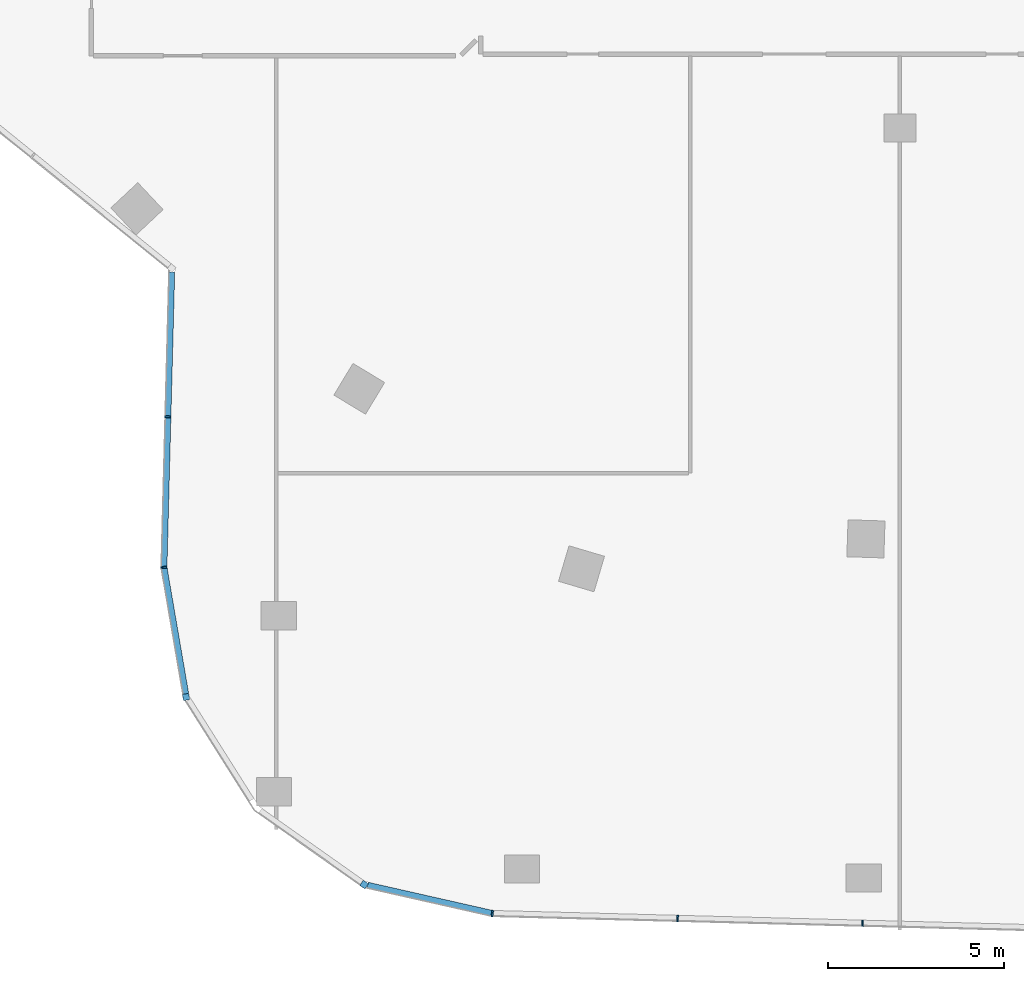
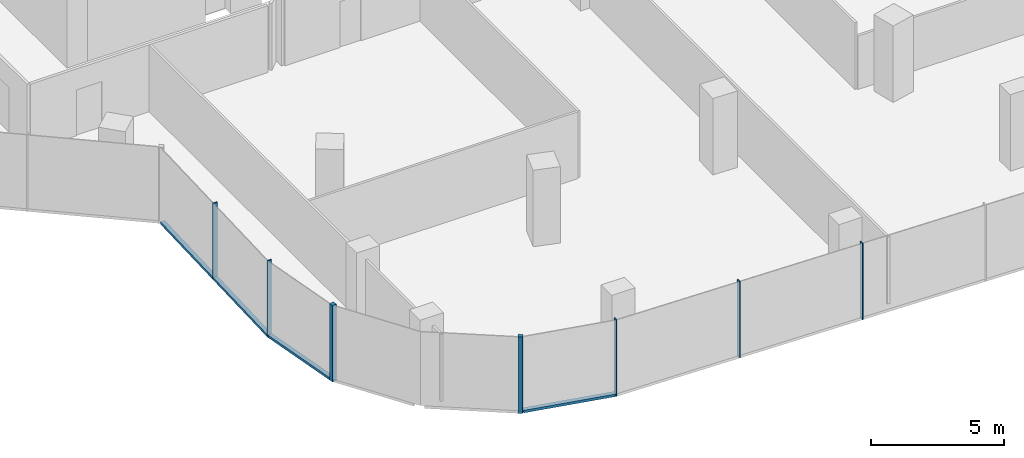
# One storey, part 2 of 23: 10 members, 5 elements without a shape of their own.
"""IFC4 building model written with IfcOpenShell, lengths in metres."""

import ifcopenshell
import ifcopenshell.guid

model = None  # the IFC model being written
_history = None  # IfcOwnerHistory: only IFC2X3 demands one
_inside = {}  # id of a spatial element -> (the spatial element, [elements in it])
_under = {}  # id of a project, library or spatial element -> (it, [spatial elements below it])
_declared = {}  # id of a project -> (the project, [libraries it declares])
_typed = {}  # id of a type object -> (the type object, [elements of that type])
_made_of = {}  # id of a material, layer set ... -> (it, [elements and type objects made of it])


def new_model(schema):
    """Start an empty IFC model of exactly this schema.

    Asked for "IFC4X3", IfcOpenShell would pick the latest addendum, in which some entities
    have other attributes; the version numbers below select the first issue.
    IFC2X3 requires an IfcOwnerHistory on every rooted entity: one is made here for all.
    """
    global model, _history
    if schema == "IFC4X3":
        model = ifcopenshell.file(schema_version=(4, 3, 0, 0))
    else:
        model = ifcopenshell.file(schema=schema)
    _inside.clear()
    _under.clear()
    _declared.clear()
    _typed.clear()
    _made_of.clear()
    _history = None
    if model.schema == "IFC2X3":
        org = make("IfcOrganization", Name="unknown")
        user = make(
            "IfcPersonAndOrganization",
            ThePerson=make("IfcPerson", FamilyName="unknown"),
            TheOrganization=org,
        )
        app = make(
            "IfcApplication",
            ApplicationDeveloper=org,
            Version="unknown",
            ApplicationFullName="unknown",
            ApplicationIdentifier="unknown",
        )
        _history = make(
            "IfcOwnerHistory",
            OwningUser=user,
            OwningApplication=app,
            ChangeAction="ADDED",
            CreationDate=0,
        )
    return model


def make(cls, **values):
    """One entity of the class cls with the attributes given. An attribute that is None is left unset."""
    return model.create_entity(
        cls, **{name: value for name, value in values.items() if value is not None}
    )


def rooted(cls, **values):
    """An entity with a GlobalId (a new one), such as an element, a storey or a relation."""
    return make(cls, GlobalId=ifcopenshell.guid.new(), OwnerHistory=_history, **values)


def si_unit(unit_type, name, prefix=None):
    """IfcSIUnit, for example si_unit("LENGTHUNIT", "METRE", prefix="MILLI")."""
    return make("IfcSIUnit", UnitType=unit_type, Prefix=prefix, Name=name)


def assignment(units):
    """IfcUnitAssignment: the units of a project."""
    return None if units is None else make("IfcUnitAssignment", Units=units)


def point(xyz):
    """IfcCartesianPoint."""
    return None if xyz is None else make("IfcCartesianPoint", Coordinates=xyz)


def direction(xyz):
    """IfcDirection."""
    return None if xyz is None else make("IfcDirection", DirectionRatios=xyz)


def frame(location, z_axis=None, x_axis=None):
    """IfcAxis2Placement3D, a coordinate frame: its origin and axes. An axis left out is left unset."""
    return make(
        "IfcAxis2Placement3D",
        Location=point(location),
        Axis=direction(z_axis),
        RefDirection=direction(x_axis),
    )


def frame_2d(location, x_axis=None):
    """IfcAxis2Placement2D, a coordinate frame in the plane: its origin and x axis."""
    return make(
        "IfcAxis2Placement2D", Location=point(location), RefDirection=direction(x_axis)
    )


def origin():
    """The frame at (0, 0, 0) with its axes left unset."""
    return frame((0.0, 0.0, 0.0))


def origin_2d():
    """The frame at (0, 0) in the plane with its x axis left unset."""
    return frame_2d((0.0, 0.0))


def place(relative_to, where):
    """IfcLocalPlacement: puts the frame where relative to a parent placement (None: the world)."""
    return make(
        "IfcLocalPlacement", PlacementRelTo=relative_to, RelativePlacement=where
    )


def context(
    kind, dimensions, precision=None, world=None, true_north=None, identifier=None
):
    """IfcGeometricRepresentationContext, for example the 3D "Model" context."""
    return make(
        "IfcGeometricRepresentationContext",
        ContextIdentifier=identifier,
        ContextType=kind,
        CoordinateSpaceDimension=dimensions,
        Precision=precision,
        WorldCoordinateSystem=world,
        TrueNorth=true_north,
    )


def subcontext(parent, identifier, kind, view, scale=None):
    """IfcGeometricRepresentationSubContext, for example "Body" below "Model"."""
    return make(
        "IfcGeometricRepresentationSubContext",
        ContextIdentifier=identifier,
        ContextType=kind,
        ParentContext=parent,
        TargetScale=scale,
        TargetView=view,
    )


def project(units=None, contexts=None):
    """IfcProject with its units and contexts."""
    return rooted(
        "IfcProject",
        Name="project",
        RepresentationContexts=contexts,
        UnitsInContext=assignment(units),
    )


def spatial(cls, under=None, at=None, **own):
    """A site, building, storey or space (cls), placed at a placement, below another one or the project."""
    s = rooted(cls, ObjectPlacement=at, **own)
    if under is not None:
        _under.setdefault(under.id(), (under, []))[1].append(s)
    return s


def profile(cls, at=None, kind="AREA", **sizes):
    """A parametric profile (cls). Its sizes go by their IFC names, for example OverallWidth=200.0."""
    return make(cls, ProfileType=kind, Position=at, **sizes)


def rectangle(**sizes):
    """IfcRectangleProfileDef."""
    return profile("IfcRectangleProfileDef", **sizes)


def extrude(swept, where, along, depth):
    """IfcExtrudedAreaSolid: the profile swept, set in the frame where, extruded along a direction by depth."""
    return make(
        "IfcExtrudedAreaSolid",
        SweptArea=swept,
        Position=where,
        ExtrudedDirection=direction(along),
        Depth=depth,
    )


def shape(context_of_items, identifier, shape_type, items):
    """IfcShapeRepresentation: the items that make up one representation, for example the "Body"."""
    return make(
        "IfcShapeRepresentation",
        ContextOfItems=context_of_items,
        RepresentationIdentifier=identifier,
        RepresentationType=shape_type,
        Items=items,
    )


def material(Name=None, Category=None):
    """IfcMaterial."""
    return make("IfcMaterial", Name=Name, Category=Category)


def material_profile(
    of_material, cross_section, Name=None, Category=None, Priority=None
):
    """IfcMaterialProfile: a cross section and its material."""
    return make(
        "IfcMaterialProfile",
        Name=Name,
        Material=of_material,
        Profile=cross_section,
        Priority=Priority,
        Category=Category,
    )


def profile_set(profiles, Name=None, composite=None):
    """IfcMaterialProfileSet."""
    return make(
        "IfcMaterialProfileSet",
        Name=Name,
        MaterialProfiles=profiles,
        CompositeProfile=composite,
    )


def made_of(thing, what):
    """Note that an element or type object is made of a material, layer set ...; save() writes the relation."""
    if what is not None:
        _made_of.setdefault(what.id(), (what, []))[1].append(thing)
    return thing


def type_object(cls, material=None, **own):
    """A type object (cls), such as IfcWallType, which elements share."""
    return made_of(rooted(cls, **own), material)


def element(
    cls,
    number,
    at=None,
    inside=None,
    cuts=None,
    type_object=None,
    material=None,
    context=None,
    identifier="Body",
    shape_type=None,
    held_by="IfcProductDefinitionShape",
    body=None,
    shapes=None,
    **own,
):
    """One element of the class cls, such as IfcWall. Its Tag is "e" and its number.

    at: its placement. inside: the storey or other place that contains it. cuts: it is an
    opening in that element (IfcRelVoidsElement). A single representation is given by context,
    identifier, shape_type and body (its items); several are given by shapes. held_by: the class
    of the entity that holds the representations. save() writes the other relations.
    """
    e = rooted(cls, Tag="e%d" % number, ObjectPlacement=at, **own)
    if body is not None:
        shapes = [shape(context, identifier, shape_type, body)]
    if shapes is not None:
        e.Representation = make(held_by, Representations=shapes)
    if inside is not None:
        _inside.setdefault(inside.id(), (inside, []))[1].append(e)
    if cuts is not None:
        rooted(
            "IfcRelVoidsElement", RelatingBuildingElement=cuts, RelatedOpeningElement=e
        )
    if type_object is not None:
        _typed.setdefault(type_object.id(), (type_object, []))[1].append(e)
    return made_of(e, material)


def aggregate(whole, parts):
    """IfcRelAggregates: a whole, such as a stair, and the parts it consists of."""
    return rooted("IfcRelAggregates", RelatingObject=whole, RelatedObjects=parts)


def save(model, path):
    """Write the relations noted so far, then the file.

    IfcRelAggregates (storeys below a building ...), IfcRelContainedInSpatialStructure (elements
    in a storey), IfcRelDefinesByType, IfcRelAssociatesMaterial and IfcRelDeclares: one each for
    every whole, place, type object, material and project.
    """
    for whole, parts in _under.values():
        aggregate(whole, parts)
    for where, things in _inside.values():
        rooted(
            "IfcRelContainedInSpatialStructure",
            RelatedElements=things,
            RelatingStructure=where,
        )
    for kind, things in _typed.values():
        rooted("IfcRelDefinesByType", RelatedObjects=things, RelatingType=kind)
    for what, things in _made_of.values():
        rooted("IfcRelAssociatesMaterial", RelatedObjects=things, RelatingMaterial=what)
    for by, libraries in _declared.values():
        rooted("IfcRelDeclares", RelatingContext=by, RelatedDefinitions=libraries)
    model.write(path)


model = new_model("IFC4")

# Units and contexts
model_context = context("Model", 3, precision=1e-05, world=origin(), true_north=direction((0.0, 1.0)))
body_context = subcontext(model_context, "Body", "Model", "MODEL_VIEW")
ifc_project = project(units=[si_unit("LENGTHUNIT", "METRE"), si_unit("AREAUNIT", "SQUARE_METRE"), si_unit("VOLUMEUNIT", "CUBIC_METRE"), si_unit("PLANEANGLEUNIT", "RADIAN"), si_unit("MASSUNIT", "GRAM", prefix="KILO")], contexts=[model_context])

# Site, building, storey
site_placement = place(None, origin())
site = spatial("IfcSite", under=ifc_project, at=site_placement, CompositionType="ELEMENT")
building_placement = place(site_placement, origin())
building = spatial("IfcBuilding", under=site, at=building_placement, Name="Orlundy Tower", CompositionType="ELEMENT")
storey_placement = place(building_placement, frame((0.0, 0.0, 221.0)))
storey = spatial("IfcBuildingStorey", under=building, at=storey_placement, Name="L58", CompositionType="ELEMENT", Elevation=221.0)

# Curtain wall, member
ifc_material_1 = material(Name="Aluminium bronze anodised", Category="aluminium")
curtain_wall_type = type_object("IfcCurtainWallType", Name="CW1 wall", PredefinedType="NOTDEFINED", material=ifc_material_1)
curtain_wall_1_placement = place(storey_placement, origin())
curtain_wall_1 = element("IfcCurtainWall", 1, at=curtain_wall_1_placement, inside=storey, type_object=curtain_wall_type, Name="CW1 run 025", PredefinedType="NOTDEFINED")
ifc_material_2 = material(Name="Aluminium bronze anodised", Category="aluminium")
ifc_material_profile_1 = material_profile(ifc_material_2, rectangle(XDim=0.179931640625, YDim=0.179931640625, at=origin_2d()), Name="CW1 corner post 180x180")
ifc_profile_set_1 = profile_set([ifc_material_profile_1], Name="Aluminium bronze anodised")
member_type_1 = type_object("IfcMemberType", Name="CW1 corner post 180x180", PredefinedType="MULLION", material=ifc_profile_set_1)
member_1_placement = place(storey_placement, frame((-15.209228515625, -39.476806640625, -0.419921875), z_axis=(0.0, 0.0, 1.0), x_axis=(-0.577096231381, -0.816676153518, 0.0)))
member_1 = element("IfcMember", 2, at=member_1_placement, type_object=member_type_1, Name="CW1 mullion 50", PredefinedType="MULLION", context=body_context, shape_type="SweptSolid", body=[
    extrude(rectangle(XDim=0.179931640625, YDim=0.179931640625, at=origin_2d()), origin(), (0.0, 0.0, 1.0), 3.5),
])
aggregate(curtain_wall_1, [member_1])

curtain_wall_2_placement = place(storey_placement, origin())
curtain_wall_2 = element("IfcCurtainWall", 3, at=curtain_wall_2_placement, inside=storey, type_object=curtain_wall_type, Name="CW1 run 027", PredefinedType="NOTDEFINED")
member_2_placement = place(storey_placement, frame((-20.2626953125, -34.15185546875, -0.419921875), z_axis=(0.0, 0.0, 1.0), x_axis=(-0.985542556373, -0.169428066085, 0.0)))
member_2 = element("IfcMember", 4, at=member_2_placement, type_object=member_type_1, Name="CW1 mullion 52", PredefinedType="MULLION", context=body_context, shape_type="SweptSolid", body=[
    extrude(rectangle(XDim=0.179931640625, YDim=0.179931640625, at=origin_2d()), origin(), (0.0, 0.0, 1.0), 3.5),
])

# Curtain wall, members
curtain_wall_3_placement = place(storey_placement, origin())
curtain_wall_3 = element("IfcCurtainWall", 5, at=curtain_wall_3_placement, inside=storey, type_object=curtain_wall_type, Name="CW1 run 00", PredefinedType="NOTDEFINED")
ifc_material_3 = material(Name="Aluminium bronze anodised", Category="aluminium")
ifc_material_profile_2 = material_profile(ifc_material_3, rectangle(XDim=0.179931640625, YDim=0.050048828125, at=origin_2d()), Name="CW1 mullion 50x180")
ifc_profile_set_2 = profile_set([ifc_material_profile_2], Name="Aluminium bronze anodised")
member_type_2 = type_object("IfcMemberType", Name="CW1 mullion 50x180", PredefinedType="MULLION", material=ifc_profile_set_2)
member_3_placement = place(storey_placement, frame((-20.895263671875, -30.472412109375, -0.419921875), z_axis=(0.0, 0.0, 1.0), x_axis=(-0.997409296077, -0.071935360565, 0.0)))
member_3 = element("IfcMember", 6, at=member_3_placement, type_object=member_type_2, Name="CW1 mullion 1", PredefinedType="MULLION", context=body_context, shape_type="SweptSolid", body=[
    extrude(rectangle(XDim=0.179931640625, YDim=0.050048828125, at=origin_2d()), origin(), (0.0, 0.0, 1.0), 3.5),
])
member_4_placement = place(storey_placement, frame((-20.782958984375, -26.19873046875, -0.419921875), z_axis=(0.0, 0.0, 1.0), x_axis=(-0.999655377656, 0.026251208042, 0.0)))
member_4 = element("IfcMember", 7, at=member_4_placement, type_object=member_type_2, Name="CW1 mullion 2", PredefinedType="MULLION", context=body_context, shape_type="SweptSolid", body=[
    extrude(rectangle(XDim=0.179931640625, YDim=0.050048828125, at=origin_2d()), origin(), (0.0, 0.0, 1.0), 3.5),
])

curtain_wall_4_placement = place(storey_placement, origin())
curtain_wall_4 = element("IfcCurtainWall", 8, at=curtain_wall_4_placement, inside=storey, type_object=curtain_wall_type, Name="CW1 run 023", PredefinedType="NOTDEFINED")
member_5_placement = place(storey_placement, frame((-1.062744140625, -40.575927734375, -0.419921875), z_axis=(0.0, 0.0, 1.0), x_axis=(-0.026190222342, -0.999656977295, 0.0)))
member_5 = element("IfcMember", 9, at=member_5_placement, type_object=member_type_2, Name="CW1 mullion 47", PredefinedType="MULLION", context=body_context, shape_type="SweptSolid", body=[
    extrude(rectangle(XDim=0.179931640625, YDim=0.050048828125, at=origin_2d()), origin(), (0.0, 0.0, 1.0), 3.5),
])
member_6_placement = place(storey_placement, frame((-6.31103515625, -40.4384765625, -0.419921875), z_axis=(0.0, 0.0, 1.0), x_axis=(-0.026190222342, -0.999656977295, 0.0)))
member_6 = element("IfcMember", 10, at=member_6_placement, type_object=member_type_2, Name="CW1 mullion 48", PredefinedType="MULLION", context=body_context, shape_type="SweptSolid", body=[
    extrude(rectangle(XDim=0.179931640625, YDim=0.050048828125, at=origin_2d()), origin(), (0.0, 0.0, 1.0), 3.5),
])
aggregate(curtain_wall_4, [member_5, member_6])

# Curtain wall, member
curtain_wall_5_placement = place(storey_placement, origin())
curtain_wall_5 = element("IfcCurtainWall", 11, at=curtain_wall_5_placement, inside=storey, type_object=curtain_wall_type, Name="CW1 run 024", PredefinedType="NOTDEFINED")
member_7_placement = place(storey_placement, frame((-11.568115234375, -40.30078125, -0.419921875), z_axis=(0.0, 0.0, 1.0), x_axis=(-0.124042216169, -0.992276941488, 0.0)))
member_7 = element("IfcMember", 12, at=member_7_placement, type_object=member_type_2, Name="CW1 mullion 49", PredefinedType="MULLION", context=body_context, shape_type="SweptSolid", body=[
    extrude(rectangle(XDim=0.179931640625, YDim=0.050048828125, at=origin_2d()), origin(), (0.0, 0.0, 1.0), 3.5),
])

# Member
ifc_material_4 = material(Name="Aluminium bronze anodised", Category="aluminium")
ifc_material_profile_3 = material_profile(ifc_material_4, rectangle(XDim=0.179931640625, YDim=0.1201171875, at=origin_2d()), Name="CW1 transom 180x120")
ifc_profile_set_3 = profile_set([ifc_material_profile_3], Name="Aluminium bronze anodised")
member_type_3 = type_object("IfcMemberType", Name="CW1 transom 180x120", PredefinedType="USERDEFINED", material=ifc_profile_set_3)
member_8_placement = place(storey_placement, frame((-20.89453125, -30.447509765625, -0.360107421875), z_axis=(0.026256757924, 0.999655231899, 0.0), x_axis=(-0.999655231899, 0.026256757924, 0.0)))
member_8 = element("IfcMember", 13, at=member_8_placement, type_object=member_type_3, Name="CW1 transom", ObjectType="TRANSOM", PredefinedType="USERDEFINED", context=body_context, shape_type="SweptSolid", body=[
    extrude(rectangle(XDim=0.179931640625, YDim=0.1201171875, at=origin_2d()), origin(), (0.0, 0.0, 1.0), 8.359130859375),
])

aggregate(curtain_wall_3, [member_3, member_4, member_8])

member_9_placement = place(storey_placement, frame((-11.5927734375, -40.295166015625, -0.360107421875), z_axis=(-0.975339671068, 0.220709143536, 0.0), x_axis=(-0.220709143536, -0.975339671068, 0.0)))
member_9 = element("IfcMember", 14, at=member_9_placement, type_object=member_type_3, Name="CW1 transom", ObjectType="TRANSOM", PredefinedType="USERDEFINED", context=body_context, shape_type="SweptSolid", body=[
    extrude(rectangle(XDim=0.179931640625, YDim=0.1201171875, at=origin_2d()), origin(), (0.0, 0.0, 1.0), 3.610595703125),
])

aggregate(curtain_wall_5, [member_7, member_9])

member_10_placement = place(storey_placement, frame((-20.27783203125, -34.063232421875, -0.360107421875), z_axis=(-0.16943012929, 0.985542201678, 0.0), x_axis=(-0.985542201678, -0.16943012929, 0.0)))
member_10 = element("IfcMember", 15, at=member_10_placement, type_object=member_type_3, Name="CW1 transom", ObjectType="TRANSOM", PredefinedType="USERDEFINED", context=body_context, shape_type="SweptSolid", body=[
    extrude(rectangle(XDim=0.179931640625, YDim=0.1201171875, at=origin_2d()), origin(), (0.0, 0.0, 1.0), 3.6181640625),
])

aggregate(curtain_wall_2, [member_2, member_10])

save(model, "model.ifc")
